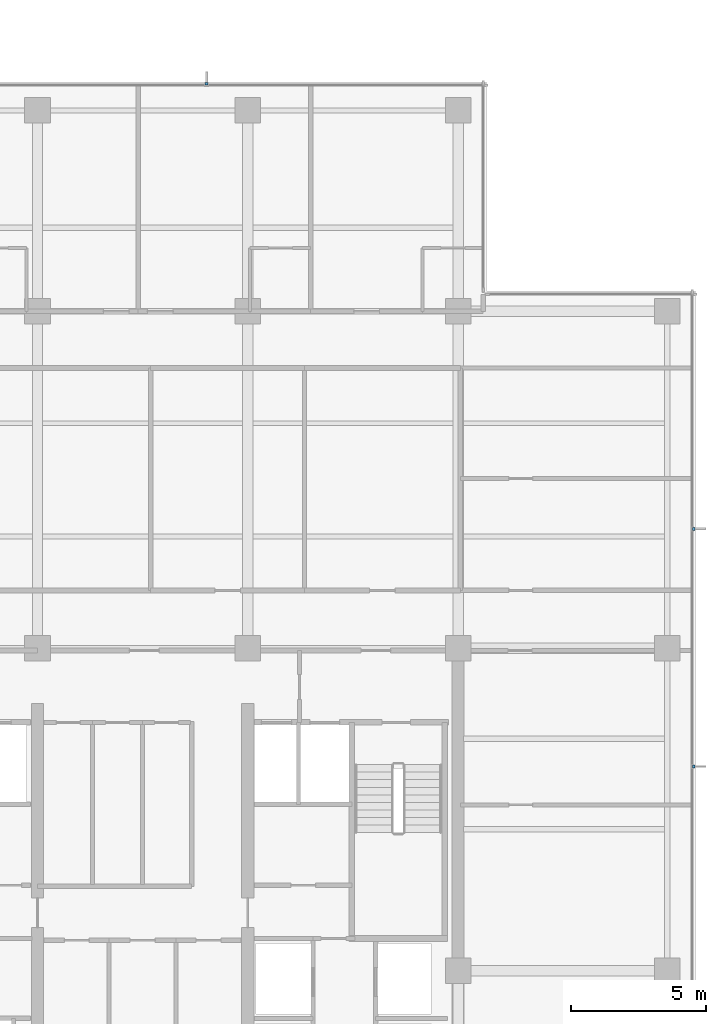
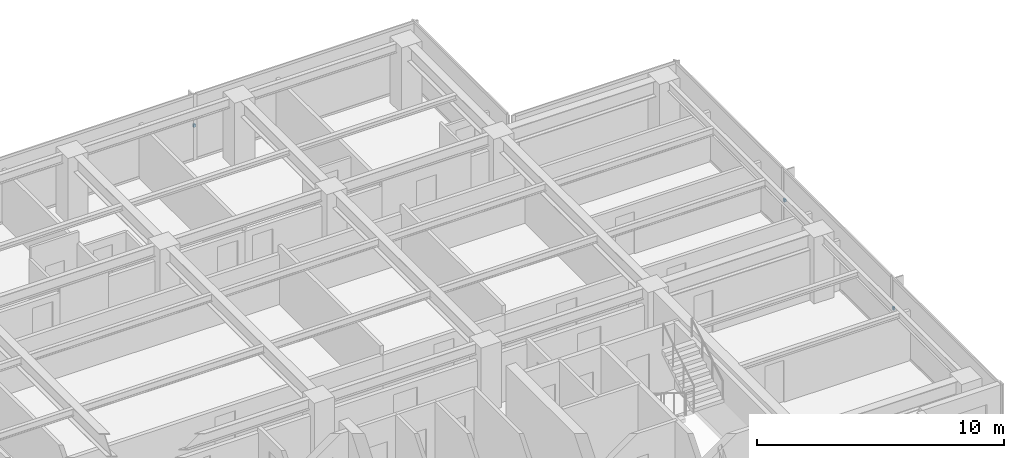
# One storey, part 12 of 14: 3 discrete accessories.
"""IFC4 building model written with IfcOpenShell, lengths in metres."""

import ifcopenshell
import ifcopenshell.guid

model = None  # the IFC model being written
_history = None  # IfcOwnerHistory: only IFC2X3 demands one
_inside = {}  # id of a spatial element -> (the spatial element, [elements in it])
_under = {}  # id of a project, library or spatial element -> (it, [spatial elements below it])
_declared = {}  # id of a project -> (the project, [libraries it declares])
_typed = {}  # id of a type object -> (the type object, [elements of that type])
_made_of = {}  # id of a material, layer set ... -> (it, [elements and type objects made of it])


def new_model(schema):
    """Start an empty IFC model of exactly this schema.

    Asked for "IFC4X3", IfcOpenShell would pick the latest addendum, in which some entities
    have other attributes; the version numbers below select the first issue.
    IFC2X3 requires an IfcOwnerHistory on every rooted entity: one is made here for all.
    """
    global model, _history
    if schema == "IFC4X3":
        model = ifcopenshell.file(schema_version=(4, 3, 0, 0))
    else:
        model = ifcopenshell.file(schema=schema)
    _inside.clear()
    _under.clear()
    _declared.clear()
    _typed.clear()
    _made_of.clear()
    _history = None
    if model.schema == "IFC2X3":
        org = make("IfcOrganization", Name="unknown")
        user = make(
            "IfcPersonAndOrganization",
            ThePerson=make("IfcPerson", FamilyName="unknown"),
            TheOrganization=org,
        )
        app = make(
            "IfcApplication",
            ApplicationDeveloper=org,
            Version="unknown",
            ApplicationFullName="unknown",
            ApplicationIdentifier="unknown",
        )
        _history = make(
            "IfcOwnerHistory",
            OwningUser=user,
            OwningApplication=app,
            ChangeAction="ADDED",
            CreationDate=0,
        )
    return model


def make(cls, **values):
    """One entity of the class cls with the attributes given. An attribute that is None is left unset."""
    return model.create_entity(
        cls, **{name: value for name, value in values.items() if value is not None}
    )


def rooted(cls, **values):
    """An entity with a GlobalId (a new one), such as an element, a storey or a relation."""
    return make(cls, GlobalId=ifcopenshell.guid.new(), OwnerHistory=_history, **values)


def si_unit(unit_type, name, prefix=None):
    """IfcSIUnit, for example si_unit("LENGTHUNIT", "METRE", prefix="MILLI")."""
    return make("IfcSIUnit", UnitType=unit_type, Prefix=prefix, Name=name)


def assignment(units):
    """IfcUnitAssignment: the units of a project."""
    return None if units is None else make("IfcUnitAssignment", Units=units)


def point(xyz):
    """IfcCartesianPoint."""
    return None if xyz is None else make("IfcCartesianPoint", Coordinates=xyz)


def direction(xyz):
    """IfcDirection."""
    return None if xyz is None else make("IfcDirection", DirectionRatios=xyz)


def frame(location, z_axis=None, x_axis=None):
    """IfcAxis2Placement3D, a coordinate frame: its origin and axes. An axis left out is left unset."""
    return make(
        "IfcAxis2Placement3D",
        Location=point(location),
        Axis=direction(z_axis),
        RefDirection=direction(x_axis),
    )


def origin():
    """The frame at (0, 0, 0) with its axes left unset."""
    return frame((0.0, 0.0, 0.0))


def place(relative_to, where):
    """IfcLocalPlacement: puts the frame where relative to a parent placement (None: the world)."""
    return make(
        "IfcLocalPlacement", PlacementRelTo=relative_to, RelativePlacement=where
    )


def context(
    kind, dimensions, precision=None, world=None, true_north=None, identifier=None
):
    """IfcGeometricRepresentationContext, for example the 3D "Model" context."""
    return make(
        "IfcGeometricRepresentationContext",
        ContextIdentifier=identifier,
        ContextType=kind,
        CoordinateSpaceDimension=dimensions,
        Precision=precision,
        WorldCoordinateSystem=world,
        TrueNorth=true_north,
    )


def subcontext(parent, identifier, kind, view, scale=None):
    """IfcGeometricRepresentationSubContext, for example "Body" below "Model"."""
    return make(
        "IfcGeometricRepresentationSubContext",
        ContextIdentifier=identifier,
        ContextType=kind,
        ParentContext=parent,
        TargetScale=scale,
        TargetView=view,
    )


def project(units=None, contexts=None):
    """IfcProject with its units and contexts."""
    return rooted(
        "IfcProject",
        Name="project",
        RepresentationContexts=contexts,
        UnitsInContext=assignment(units),
    )


def spatial(cls, under=None, at=None, **own):
    """A site, building, storey or space (cls), placed at a placement, below another one or the project."""
    s = rooted(cls, ObjectPlacement=at, **own)
    if under is not None:
        _under.setdefault(under.id(), (under, []))[1].append(s)
    return s


def polyline(points):
    """IfcPolyline through the points."""
    return make("IfcPolyline", Points=[point(p) for p in points])


def outline(outer, holes=None, kind="AREA"):
    """IfcArbitraryClosedProfileDef: a profile drawn as a closed curve; with holes, ...WithVoids."""
    if holes is None:
        return make("IfcArbitraryClosedProfileDef", ProfileType=kind, OuterCurve=outer)
    return make(
        "IfcArbitraryProfileDefWithVoids",
        ProfileType=kind,
        OuterCurve=outer,
        InnerCurves=holes,
    )


def extrude(swept, where, along, depth):
    """IfcExtrudedAreaSolid: the profile swept, set in the frame where, extruded along a direction by depth."""
    return make(
        "IfcExtrudedAreaSolid",
        SweptArea=swept,
        Position=where,
        ExtrudedDirection=direction(along),
        Depth=depth,
    )


def shape(context_of_items, identifier, shape_type, items):
    """IfcShapeRepresentation: the items that make up one representation, for example the "Body"."""
    return make(
        "IfcShapeRepresentation",
        ContextOfItems=context_of_items,
        RepresentationIdentifier=identifier,
        RepresentationType=shape_type,
        Items=items,
    )


def material(Name=None, Category=None):
    """IfcMaterial."""
    return make("IfcMaterial", Name=Name, Category=Category)


def made_of(thing, what):
    """Note that an element or type object is made of a material, layer set ...; save() writes the relation."""
    if what is not None:
        _made_of.setdefault(what.id(), (what, []))[1].append(thing)
    return thing


def type_object(cls, material=None, **own):
    """A type object (cls), such as IfcWallType, which elements share."""
    return made_of(rooted(cls, **own), material)


def element(
    cls,
    number,
    at=None,
    inside=None,
    cuts=None,
    type_object=None,
    material=None,
    context=None,
    identifier="Body",
    shape_type=None,
    held_by="IfcProductDefinitionShape",
    body=None,
    shapes=None,
    **own,
):
    """One element of the class cls, such as IfcWall. Its Tag is "e" and its number.

    at: its placement. inside: the storey or other place that contains it. cuts: it is an
    opening in that element (IfcRelVoidsElement). A single representation is given by context,
    identifier, shape_type and body (its items); several are given by shapes. held_by: the class
    of the entity that holds the representations. save() writes the other relations.
    """
    e = rooted(cls, Tag="e%d" % number, ObjectPlacement=at, **own)
    if body is not None:
        shapes = [shape(context, identifier, shape_type, body)]
    if shapes is not None:
        e.Representation = make(held_by, Representations=shapes)
    if inside is not None:
        _inside.setdefault(inside.id(), (inside, []))[1].append(e)
    if cuts is not None:
        rooted(
            "IfcRelVoidsElement", RelatingBuildingElement=cuts, RelatedOpeningElement=e
        )
    if type_object is not None:
        _typed.setdefault(type_object.id(), (type_object, []))[1].append(e)
    return made_of(e, material)


def aggregate(whole, parts):
    """IfcRelAggregates: a whole, such as a stair, and the parts it consists of."""
    return rooted("IfcRelAggregates", RelatingObject=whole, RelatedObjects=parts)


def save(model, path):
    """Write the relations noted so far, then the file.

    IfcRelAggregates (storeys below a building ...), IfcRelContainedInSpatialStructure (elements
    in a storey), IfcRelDefinesByType, IfcRelAssociatesMaterial and IfcRelDeclares: one each for
    every whole, place, type object, material and project.
    """
    for whole, parts in _under.values():
        aggregate(whole, parts)
    for where, things in _inside.values():
        rooted(
            "IfcRelContainedInSpatialStructure",
            RelatedElements=things,
            RelatingStructure=where,
        )
    for kind, things in _typed.values():
        rooted("IfcRelDefinesByType", RelatedObjects=things, RelatingType=kind)
    for what, things in _made_of.values():
        rooted("IfcRelAssociatesMaterial", RelatedObjects=things, RelatingMaterial=what)
    for by, libraries in _declared.values():
        rooted("IfcRelDeclares", RelatingContext=by, RelatedDefinitions=libraries)
    model.write(path)


model = new_model("IFC4")

# Units and contexts
model_context = context("Model", 3, precision=1e-05, world=origin(), true_north=direction((0.0, 1.0)))
body_context = subcontext(model_context, "Body", "Model", "MODEL_VIEW")
ifc_project = project(units=[si_unit("LENGTHUNIT", "METRE"), si_unit("AREAUNIT", "SQUARE_METRE"), si_unit("VOLUMEUNIT", "CUBIC_METRE"), si_unit("PLANEANGLEUNIT", "RADIAN"), si_unit("MASSUNIT", "GRAM", prefix="KILO")], contexts=[model_context])

# Site, building, storey
site_placement = place(None, origin())
site = spatial("IfcSite", under=ifc_project, at=site_placement, CompositionType="ELEMENT")
building_placement = place(site_placement, origin())
building = spatial("IfcBuilding", under=site, at=building_placement, Name="Qalmaran Belvedere Hotel", CompositionType="ELEMENT")
storey_placement = place(building_placement, frame((0.0, 0.0, 228.39990234375)))
storey = spatial("IfcBuildingStorey", under=building, at=storey_placement, Name="L58", CompositionType="ELEMENT", Elevation=228.39990234375)

# Discrete accessories
ifc_material = material(Name="Stainless Steel 1.4401", Category="steel")
discrete_accessory_type = type_object("IfcDiscreteAccessoryType", Name="BRK-FIN-SS316", PredefinedType="BRACKET", material=ifc_material)
discrete_accessory_1_placement = place(storey_placement, frame((0.0, 0.0, 1.580078125)))
element("IfcDiscreteAccessory", 1, at=discrete_accessory_1_placement, inside=storey, type_object=discrete_accessory_type, Name="L58 Fin Bracket 1", PredefinedType="BRACKET", context=body_context, shape_type="SweptSolid", body=[
    extrude(outline(polyline([(53.4951171875, 16.061767578125), (53.58740234375, 16.061767578125), (53.58740234375, 16.171630859375), (53.4951171875, 16.171630859375), (53.4951171875, 16.061767578125)])), origin(), (0.0, 0.0, 1.0), 0.14013671875),
])
discrete_accessory_2_placement = place(storey_placement, frame((0.0, 0.0, 1.580078125)))
element("IfcDiscreteAccessory", 2, at=discrete_accessory_2_placement, inside=storey, type_object=discrete_accessory_type, Name="L58 Fin Bracket 2", PredefinedType="BRACKET", context=body_context, shape_type="SweptSolid", body=[
    extrude(outline(polyline([(53.4951171875, 24.87841796875), (53.58740234375, 24.87841796875), (53.58740234375, 24.98828125), (53.4951171875, 24.98828125), (53.4951171875, 24.87841796875)])), origin(), (0.0, 0.0, 1.0), 0.14013671875),
])
discrete_accessory_3_placement = place(storey_placement, frame((0.0, 0.0, 1.580078125)))
element("IfcDiscreteAccessory", 3, at=discrete_accessory_3_placement, inside=storey, type_object=discrete_accessory_type, Name="L58 Fin Bracket 1", PredefinedType="BRACKET", context=body_context, shape_type="SweptSolid", body=[
    extrude(outline(polyline([(35.530029296875, 41.39501953125), (35.530029296875, 41.487548828125), (35.419921875, 41.487548828125), (35.419921875, 41.39501953125), (35.530029296875, 41.39501953125)])), origin(), (0.0, 0.0, 1.0), 0.14013671875),
])

save(model, "model.ifc")
